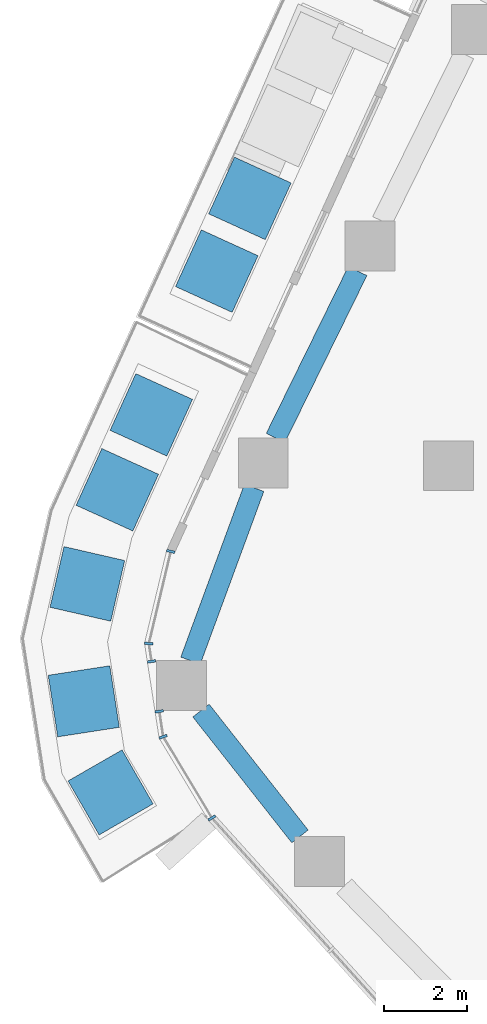
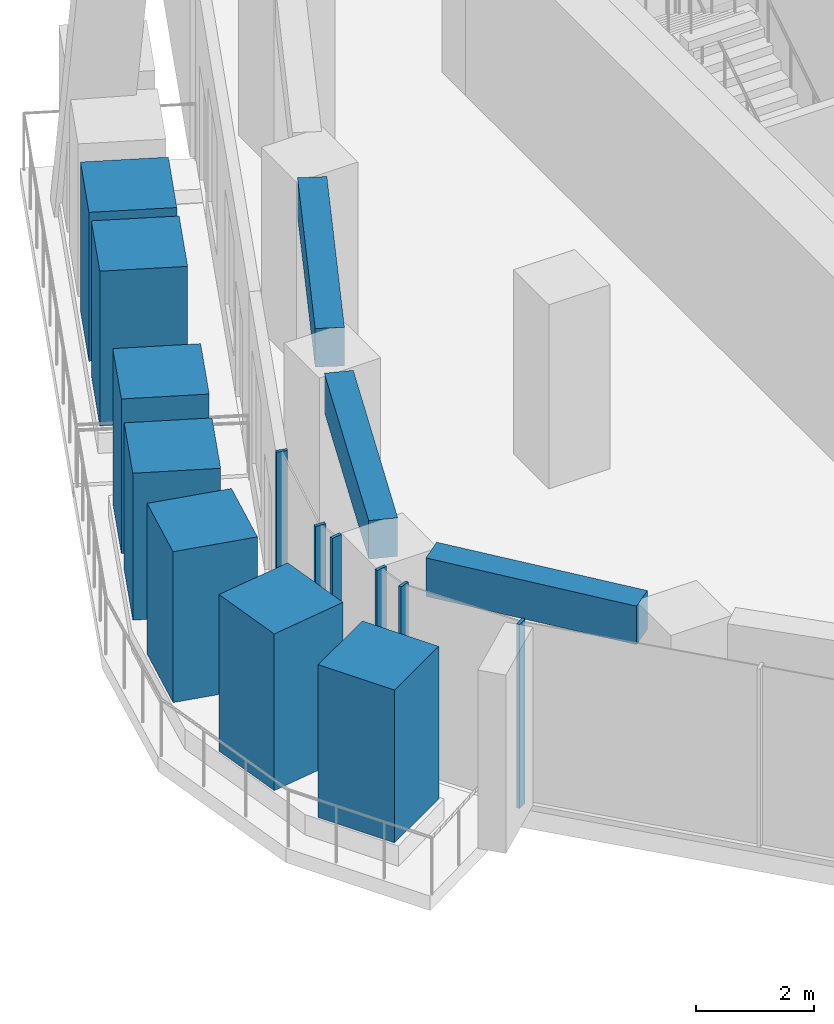
# One storey, part 3 of 19: 13 members, 3 beams, 2 elements without a shape of their own.
"""IFC4 building model written with IfcOpenShell, lengths in metres."""

from ifc_helpers import new_model, si_unit, direction, frame, origin, origin_2d, place, context, subcontext, project, spatial, rectangle, extrude, material, layer, layer_set, material_profile, profile_set, type_object, element, aggregate, save


model = new_model("IFC4")

# Units and contexts
model_context = context("Model", 3, precision=1e-05, world=origin(), true_north=direction((0.0, 1.0)))
body_context = subcontext(model_context, "Body", "Model", "MODEL_VIEW")
ifc_project = project(units=[si_unit("LENGTHUNIT", "METRE"), si_unit("AREAUNIT", "SQUARE_METRE"), si_unit("VOLUMEUNIT", "CUBIC_METRE"), si_unit("PLANEANGLEUNIT", "RADIAN"), si_unit("MASSUNIT", "GRAM", prefix="KILO")], contexts=[model_context])

# Site, building, storey
site_placement = place(None, origin())
site = spatial("IfcSite", under=ifc_project, at=site_placement, CompositionType="ELEMENT")
building_placement = place(site_placement, origin())
building = spatial("IfcBuilding", under=site, at=building_placement, Name="Dongbaek Canopy Tower", CompositionType="ELEMENT")
storey_placement = place(building_placement, frame((0.0, 0.0, 207.199951171875)))
storey = spatial("IfcBuildingStorey", under=building, at=storey_placement, Name="L43", CompositionType="ELEMENT", Elevation=207.199951171875)

# Curtain wall, members
ifc_material_1 = material(Name="Aluminium 6063-T6 pale anodised", Category="aluminium")
ifc_layer = layer(ifc_material_1, 0.199951171875)
ifc_layer_set = layer_set([ifc_layer], Name="CW-1 unitised tower curtain wall")
curtain_wall_type = type_object("IfcCurtainWallType", Name="CW-1 unitised tower curtain wall", PredefinedType="NOTDEFINED", material=ifc_layer_set)
curtain_wall_1_placement = place(storey_placement, origin())
curtain_wall_1 = element("IfcCurtainWall", 1, at=curtain_wall_1_placement, inside=storey, type_object=curtain_wall_type, Name="CW-1 curtain wall K3.1a", PredefinedType="NOTDEFINED")
ifc_material_2 = material(Name="Aluminium 6063-T6 pale anodised", Category="aluminium")
ifc_material_profile_1 = material_profile(ifc_material_2, rectangle(XDim=0.199951171875, YDim=0.06005859375, at=origin_2d()), Name="CW-1 mullion 60 x 200")
ifc_profile_set_1 = profile_set([ifc_material_profile_1], Name="Aluminium 6063-T6 pale anodised")
member_type_1 = type_object("IfcMemberType", Name="CW-1 mullion 60 x 200", PredefinedType="MULLION", material=ifc_profile_set_1)
member_1_placement = place(storey_placement, frame((-24.69091796875, -2.063720703125, 0.0), z_axis=(0.0, 0.0, 1.0), x_axis=(-0.972743995942, 0.231881690436, 0.0)))
member_1 = element("IfcMember", 2, at=member_1_placement, type_object=member_type_1, Name="CW-1 mullion K3.1a.1", PredefinedType="MULLION", context=body_context, shape_type="SweptSolid", body=[
    extrude(rectangle(XDim=0.199951171875, YDim=0.06005859375, at=origin_2d()), origin(), (0.0, 0.0, 1.0), 3.820068359375),
])
member_2_placement = place(storey_placement, frame((-25.219482421875, -4.28173828125, 0.0), z_axis=(0.0, 0.0, 1.0), x_axis=(-0.999186076209, 0.040338382589, 0.0)))
member_2 = element("IfcMember", 3, at=member_2_placement, type_object=member_type_1, Name="CW-1 mullion K3.1a.2", PredefinedType="MULLION", context=body_context, shape_type="SweptSolid", body=[
    extrude(rectangle(XDim=0.199951171875, YDim=0.06005859375, at=origin_2d()), origin(), (0.0, 0.0, 1.0), 3.820068359375),
])
member_3_placement = place(storey_placement, frame((-25.153076171875, -4.712158203125, 0.0), z_axis=(0.0, 0.0, 1.0), x_axis=(-0.988270565088, -0.15271309761, 0.0)))
member_3 = element("IfcMember", 4, at=member_3_placement, type_object=member_type_1, Name="CW-1 mullion K3.1a.3", PredefinedType="MULLION", context=body_context, shape_type="SweptSolid", body=[
    extrude(rectangle(XDim=0.199951171875, YDim=0.06005859375, at=origin_2d()), origin(), (0.0, 0.0, 1.0), 3.820068359375),
])
aggregate(curtain_wall_1, [member_1, member_2, member_3])

curtain_wall_2_placement = place(storey_placement, origin())
curtain_wall_2 = element("IfcCurtainWall", 5, at=curtain_wall_2_placement, inside=storey, type_object=curtain_wall_type, Name="CW-1 curtain wall K3.1b", PredefinedType="NOTDEFINED")
member_4_placement = place(storey_placement, frame((-24.96728515625, -5.913818359375, 0.0), z_axis=(0.0, 0.0, 1.0), x_axis=(-0.988270565088, -0.15271309761, 0.0)))
member_4 = element("IfcMember", 6, at=member_4_placement, type_object=member_type_1, Name="CW-1 mullion K3.1b.1", PredefinedType="MULLION", context=body_context, shape_type="SweptSolid", body=[
    extrude(rectangle(XDim=0.199951171875, YDim=0.06005859375, at=origin_2d()), origin(), (0.0, 0.0, 1.0), 3.820068359375),
])
member_5_placement = place(storey_placement, frame((-24.872802734375, -6.525146484375, 0.0), z_axis=(0.0, 0.0, 1.0), x_axis=(-0.940405571945, -0.340054937112, 0.0)))
member_5 = element("IfcMember", 7, at=member_5_placement, type_object=member_type_1, Name="CW-1 mullion K3.1b.2", PredefinedType="MULLION", context=body_context, shape_type="SweptSolid", body=[
    extrude(rectangle(XDim=0.199951171875, YDim=0.06005859375, at=origin_2d()), origin(), (0.0, 0.0, 1.0), 3.820068359375),
])
member_6_placement = place(storey_placement, frame((-23.69921875, -8.480224609375, 0.0), z_axis=(0.0, 0.0, 1.0), x_axis=(-0.857380674226, -0.514682794995, 0.0)))
member_6 = element("IfcMember", 8, at=member_6_placement, type_object=member_type_1, Name="CW-1 mullion K3.1b.3", PredefinedType="MULLION", context=body_context, shape_type="SweptSolid", body=[
    extrude(rectangle(XDim=0.199951171875, YDim=0.06005859375, at=origin_2d()), origin(), (0.0, 0.0, 1.0), 3.820068359375),
])
aggregate(curtain_wall_2, [member_4, member_5, member_6])

# Beams
ifc_material_3 = material(Name="Concrete C70", Category="concrete")
ifc_material_profile_2 = material_profile(ifc_material_3, rectangle(XDim=0.5, YDim=0.800048828125, at=origin_2d()), Name="RC EDGE BEAM 500x800 C70")
ifc_profile_set_2 = profile_set([ifc_material_profile_2], Name="Concrete C70")
beam_type = type_object("IfcBeamType", Name="RC EDGE BEAM 500x800 C70", PredefinedType="BEAM", material=ifc_profile_set_2)
beam_1_placement = place(storey_placement, frame((-21.578125, -8.925048828125, 3.420166015625), z_axis=(-0.618344214718, 0.785907394115, 0.0), x_axis=(-0.785907394115, -0.618344214718, 0.0)))
element("IfcBeam", 9, at=beam_1_placement, inside=storey, type_object=beam_type, Name="EDGEBEAM:L43:07", PredefinedType="BEAM", context=body_context, shape_type="SweptSolid", body=[
    extrude(rectangle(XDim=0.5, YDim=0.800048828125, at=origin_2d()), origin(), (0.0, 0.0, 1.0), 3.856689453125),
])
beam_2_placement = place(storey_placement, frame((-24.214111328125, -4.694091796875, 3.420166015625), z_axis=(0.34534810305, 0.938474660137, 0.0), x_axis=(-0.938474660137, 0.34534810305, 0.0)))
element("IfcBeam", 10, at=beam_2_placement, inside=storey, type_object=beam_type, Name="EDGEBEAM:L43:08", PredefinedType="BEAM", context=body_context, shape_type="SweptSolid", body=[
    extrude(rectangle(XDim=0.5, YDim=0.800048828125, at=origin_2d()), origin(), (0.0, 0.0, 1.0), 4.433837890625),
])
beam_3_placement = place(storey_placement, frame((-22.1669921875, 0.6669921875, 3.420166015625), z_axis=(0.441142658474, 0.897436992147, 0.0), x_axis=(-0.897436992147, 0.441142658474, 0.0)))
element("IfcBeam", 11, at=beam_3_placement, inside=storey, type_object=beam_type, Name="EDGEBEAM:L43:09", PredefinedType="BEAM", context=body_context, shape_type="SweptSolid", body=[
    extrude(rectangle(XDim=0.5, YDim=0.800048828125, at=origin_2d()), origin(), (0.0, 0.0, 1.0), 4.4794921875),
])

# Members
ifc_material_4 = material(Name="Concrete C40/50 planter mass with planting", Category="concrete")
ifc_material_profile_3 = material_profile(ifc_material_4, rectangle(XDim=1.5, YDim=1.5, at=origin_2d()), Name="Terrace PLANTER shrub mass 1500 x 1500")
ifc_profile_set_3 = profile_set([ifc_material_profile_3], Name="Concrete C40/50 planter mass with planting")
member_type_2 = type_object("IfcMemberType", Name="Terrace PLANTER shrub mass 1500 x 1500", PredefinedType="USERDEFINED", material=ifc_profile_set_3)
member_7_placement = place(storey_placement, frame((-22.784423828125, 6.4345703125, 0.420166015625), z_axis=(0.0, 0.0, 1.0), x_axis=(-0.909932941374, 0.414755400449, 0.0)))
element("IfcMember", 12, at=member_7_placement, inside=storey, type_object=member_type_2, Name="Planter shrubs L43 1.3", ObjectType="PLANTER", PredefinedType="USERDEFINED", context=body_context, shape_type="SweptSolid", body=[
    extrude(rectangle(XDim=1.5, YDim=1.5, at=origin_2d()), origin(), (0.0, 0.0, 1.0), 3.08984375),
])
for number, where, z_axis, x_axis, name in (
    (13, (-23.582275390625, 4.68408203125, 0.420166015625), (0.0, 0.0, 1.0), (-0.909932941374, 0.414755400449, 0.0), "Planter shrubs L43 1.4"),
    (14, (-25.157470703125, 1.2236328125, 0.420166015625), (0.0, 0.0, 1.0), (-0.910760101813, 0.412935875101, 0.0), "Planter shrubs L43 2.1"),
):
    element("IfcMember", number, at=place(storey_placement, frame(where, z_axis=z_axis, x_axis=x_axis)), inside=storey, type_object=member_type_2, Name=name, ObjectType="PLANTER", PredefinedType="USERDEFINED", context=body_context, shape_type="SweptSolid", body=[
        extrude(rectangle(XDim=1.5, YDim=1.5, at=origin_2d()), origin(), (0.0, 0.0, 1.0), 3.2099609375),
    ])
member_8_placement = place(storey_placement, frame((-25.975341796875, -0.580078125, 0.420166015625), z_axis=(0.0, 0.0, 1.0), x_axis=(-0.910760101813, 0.412935875101, 0.0)))
element("IfcMember", 15, at=member_8_placement, inside=storey, type_object=member_type_2, Name="Planter shrubs L43 2.2", ObjectType="PLANTER", PredefinedType="USERDEFINED", context=body_context, shape_type="SweptSolid", body=[
    extrude(rectangle(XDim=1.5, YDim=1.5, at=origin_2d()), origin(), (0.0, 0.0, 1.0), 3.0498046875),
])
member_9_placement = place(storey_placement, frame((-26.697021484375, -2.845703125, 0.420166015625), z_axis=(0.0, 0.0, 1.0), x_axis=(-0.97467118145, 0.223642768834, 0.0)))
element("IfcMember", 16, at=member_9_placement, inside=storey, type_object=member_type_2, Name="Planter shrubs L43 2.3", ObjectType="PLANTER", PredefinedType="USERDEFINED", context=body_context, shape_type="SweptSolid", body=[
    extrude(rectangle(XDim=1.5, YDim=1.5, at=origin_2d()), origin(), (0.0, 0.0, 1.0), 3.1298828125),
])
member_10_placement = place(storey_placement, frame((-26.783935546875, -5.671875, 0.420166015625), z_axis=(0.0, 0.0, 1.0), x_axis=(-0.988270565088, -0.15271309761, 0.0)))
element("IfcMember", 17, at=member_10_placement, inside=storey, type_object=member_type_2, Name="Planter shrubs L43 2.4", ObjectType="PLANTER", PredefinedType="USERDEFINED", context=body_context, shape_type="SweptSolid", body=[
    extrude(rectangle(XDim=1.5, YDim=1.5, at=origin_2d()), origin(), (0.0, 0.0, 1.0), 3.25),
])
member_11_placement = place(storey_placement, frame((-26.137939453125, -7.864990234375, 0.420166015625), z_axis=(0.0, 0.0, 1.0), x_axis=(-0.866880038744, -0.498516798541, 0.0)))
element("IfcMember", 18, at=member_11_placement, inside=storey, type_object=member_type_2, Name="Planter shrubs L43 2.5", ObjectType="PLANTER", PredefinedType="USERDEFINED", context=body_context, shape_type="SweptSolid", body=[
    extrude(rectangle(XDim=1.5, YDim=1.5, at=origin_2d()), origin(), (0.0, 0.0, 1.0), 3.169921875),
])

save(model, "model.ifc")
